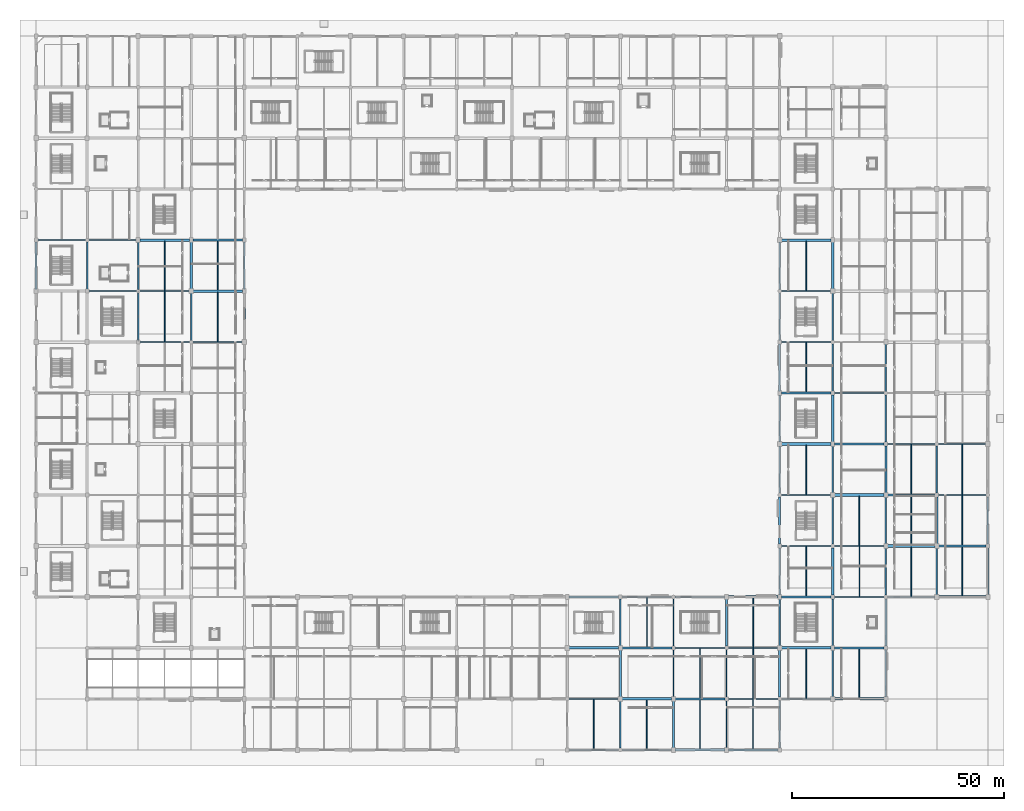
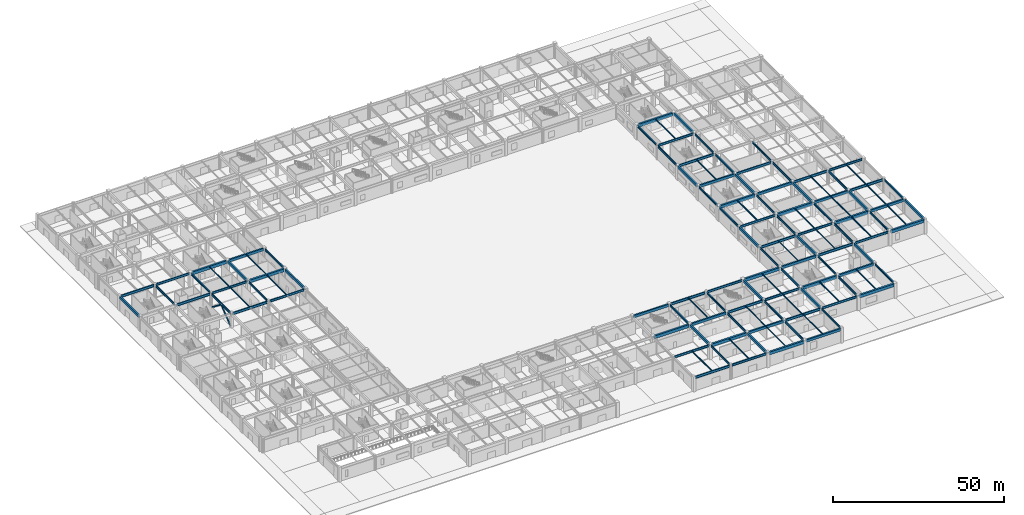
# One storey, part 6 of 69: 124 beams, 2 members.
"""IFC4 building model written with IfcOpenShell, lengths in metres."""

from ifc_helpers import new_model, si_unit, direction, frame, origin, origin_2d, place, context, subcontext, project, spatial, rectangle, i_section, extrude, material, material_profile, profile_set, type_object, element, save


model = new_model("IFC4")

# Units and contexts
model_context = context("Model", 3, precision=1e-05, world=origin(), true_north=direction((0.0, 1.0)))
body_context = subcontext(model_context, "Body", "Model", "MODEL_VIEW")
ifc_project = project(units=[si_unit("LENGTHUNIT", "METRE"), si_unit("AREAUNIT", "SQUARE_METRE"), si_unit("VOLUMEUNIT", "CUBIC_METRE"), si_unit("PLANEANGLEUNIT", "RADIAN"), si_unit("MASSUNIT", "GRAM", prefix="KILO")], contexts=[model_context])

# Site, building, storey
site_placement = place(None, origin())
site = spatial("IfcSite", under=ifc_project, at=site_placement, CompositionType="ELEMENT")
building_placement = place(site_placement, origin())
building = spatial("IfcBuilding", under=site, at=building_placement, Name="Kazenohara Klinker Stadium", CompositionType="ELEMENT")
storey_placement = place(building_placement, origin())
storey = spatial("IfcBuildingStorey", under=building, at=storey_placement, Name="L00", CompositionType="ELEMENT", Elevation=0.0)

# Beams
ifc_material_1 = material(Name="Steel S355", Category="steel")
ifc_material_profile_1 = material_profile(ifc_material_1, i_section(OverallWidth=0.199951171875, OverallDepth=0.5, WebThickness=0.010009765625, FlangeThickness=0.01611328125, FilletRadius=0.012939453125, at=origin_2d()), Name="H-500x200x10x16")
ifc_profile_set_1 = profile_set([ifc_material_profile_1], Name="Steel S355")
beam_type_1 = type_object("IfcBeamType", Name="BM-JST01", PredefinedType="JOIST", material=ifc_profile_set_1)
beam_1_placement = place(storey_placement, frame((168.75, 12.14990234375, 4.889892578125), z_axis=(0.0, 1.0, 0.0), x_axis=(-1.0, 0.0, 0.0)))
element("IfcBeam", 1, at=beam_1_placement, inside=storey, type_object=beam_type_1, Name="Secondary floor joist SJ01 L00 14/B", PredefinedType="JOIST", context=body_context, shape_type="SweptSolid", body=[
    extrude(i_section(OverallWidth=0.199951171875, OverallDepth=0.5, WebThickness=0.010009765625, FlangeThickness=0.01611328125, FilletRadius=0.012939453125, at=origin_2d()), origin(), (0.0, 0.0, 1.0), 11.7001953125),
])
for number, where, z_axis, x_axis, name in (
    (2, (181.25, 60.14990234375, 4.889892578125), (0.0, 1.0, 0.0), (-1.0, 0.0, 0.0), "Secondary floor joist SJ01 L00 15/F"),
    (3, (193.75, 48.14990234375, 4.889892578125), (0.0, 1.0, 0.0), (-1.0, 0.0, 0.0), "Secondary floor joist SJ01 L00 16/E"),
    (4, (206.0, 36.14990234375, 4.889892578125), (0.0, 1.0, 0.0), (-1.0, 0.0, 0.0), "Secondary floor joist SJ01 L00 17/D"),
):
    element("IfcBeam", number, at=place(storey_placement, frame(where, z_axis=z_axis, x_axis=x_axis)), inside=storey, type_object=beam_type_1, Name=name, PredefinedType="JOIST", context=body_context, shape_type="SweptSolid", body=[
        extrude(i_section(OverallWidth=0.199951171875, OverallDepth=0.5, WebThickness=0.010009765625, FlangeThickness=0.01611328125, FilletRadius=0.012939453125, at=origin_2d()), origin(), (0.0, 0.0, 1.0), 11.550048828125),
    ])
ifc_material_profile_2 = material_profile(ifc_material_1, i_section(OverallWidth=0.199951171875, OverallDepth=0.449951171875, WebThickness=0.009033203125, FlangeThickness=0.013916015625, FilletRadius=0.012939453125, at=origin_2d()), Name="H-450x200x9x14")
ifc_profile_set_2 = profile_set([ifc_material_profile_2], Name="Steel S355")
beam_type_2 = type_object("IfcBeamType", Name="BM-JST02", PredefinedType="JOIST", material=ifc_profile_set_2)
for number, where, z_axis, x_axis, name in (
    (5, (30.25, 96.14990234375, 4.9150390625), (0.0, 1.0, 0.0), (-1.0, 0.0, 0.0), "Secondary floor joist SJ02 L00 3/J"),
    (6, (131.25, 0.14990234375, 4.9150390625), (0.0, 1.0, 0.0), (-1.0, 0.0, 0.0), "Secondary floor joist SJ02 L00 11/A"),
):
    element("IfcBeam", number, at=place(storey_placement, frame(where, z_axis=z_axis, x_axis=x_axis)), inside=storey, type_object=beam_type_2, Name=name, PredefinedType="JOIST", context=body_context, shape_type="SweptSolid", body=[
        extrude(i_section(OverallWidth=0.199951171875, OverallDepth=0.449951171875, WebThickness=0.009033203125, FlangeThickness=0.013916015625, FilletRadius=0.012939453125, at=origin_2d()), origin(), (0.0, 0.0, 1.0), 11.7001953125),
    ])
for number, where, z_axis, x_axis, name in (
    (7, (168.75, 24.14990234375, 4.9150390625), (0.0, 1.0, 0.0), (-1.0, 0.0, 0.0), "Secondary floor joist SJ02 L00 14/C"),
    (8, (181.25, 12.14990234375, 4.9150390625), (0.0, 1.0, 0.0), (-1.0, 0.0, 0.0), "Secondary floor joist SJ02 L00 15/B"),
):
    element("IfcBeam", number, at=place(storey_placement, frame(where, z_axis=z_axis, x_axis=x_axis)), inside=storey, type_object=beam_type_2, Name=name, PredefinedType="JOIST", context=body_context, shape_type="SweptSolid", body=[
        extrude(i_section(OverallWidth=0.199951171875, OverallDepth=0.449951171875, WebThickness=0.009033203125, FlangeThickness=0.013916015625, FilletRadius=0.012939453125, at=origin_2d()), origin(), (0.0, 0.0, 1.0), 11.550048828125),
    ])
for number, where, z_axis, x_axis, name in (
    (9, (206.0, 48.300048828125, 4.9150390625), (0.0, 1.0, 0.0), (-1.0, 0.0, 0.0), "Secondary floor joist SJ02 L00 17/E"),
    (10, (218.0, 36.300048828125, 4.9150390625), (0.0, 1.0, 0.0), (-1.0, 0.0, 0.0), "Secondary floor joist SJ02 L00 18/D"),
):
    element("IfcBeam", number, at=place(storey_placement, frame(where, z_axis=z_axis, x_axis=x_axis)), inside=storey, type_object=beam_type_2, Name=name, PredefinedType="JOIST", context=body_context, shape_type="SweptSolid", body=[
        extrude(i_section(OverallWidth=0.199951171875, OverallDepth=0.449951171875, WebThickness=0.009033203125, FlangeThickness=0.013916015625, FilletRadius=0.012939453125, at=origin_2d()), origin(), (0.0, 0.0, 1.0), 11.449951171875),
    ])
ifc_material_profile_3 = material_profile(ifc_material_1, i_section(OverallWidth=0.199951171875, OverallDepth=0.39990234375, WebThickness=0.008056640625, FlangeThickness=0.012939453125, FilletRadius=0.012939453125, at=origin_2d()), Name="H-400x200x8x13")
ifc_profile_set_3 = profile_set([ifc_material_profile_3], Name="Steel S355")
beam_type_3 = type_object("IfcBeamType", Name="BM-JST03", PredefinedType="JOIST", material=ifc_profile_set_3)
for number, where, z_axis, x_axis, name in (
    (11, (30.25, 108.14990234375, 4.93994140625), (0.0, 1.0, 0.0), (-1.0, 0.0, 0.0), "Secondary floor joist SJ03 L00 3/K"),
    (12, (42.75, 96.14990234375, 4.93994140625), (0.0, 1.0, 0.0), (-1.0, 0.0, 0.0), "Secondary floor joist SJ03 L00 4/J"),
    (13, (143.75, 0.14990234375, 4.93994140625), (0.0, 1.0, 0.0), (-1.0, 0.0, 0.0), "Secondary floor joist SJ03 L00 12/A"),
):
    element("IfcBeam", number, at=place(storey_placement, frame(where, z_axis=z_axis, x_axis=x_axis)), inside=storey, type_object=beam_type_3, Name=name, PredefinedType="JOIST", context=body_context, shape_type="SweptSolid", body=[
        extrude(i_section(OverallWidth=0.199951171875, OverallDepth=0.39990234375, WebThickness=0.008056640625, FlangeThickness=0.012939453125, FilletRadius=0.012939453125, at=origin_2d()), origin(), (0.0, 0.0, 1.0), 11.550048828125),
    ])
beam_2_placement = place(storey_placement, frame((181.25, 84.25, 4.93994140625), z_axis=(0.0, 1.0, 0.0), x_axis=(-1.0, 0.0, 0.0)))
element("IfcBeam", 14, at=beam_2_placement, inside=storey, type_object=beam_type_3, Name="Secondary floor joist SJ03 L00 15/H", PredefinedType="JOIST", context=body_context, shape_type="SweptSolid", body=[
    extrude(i_section(OverallWidth=0.199951171875, OverallDepth=0.39990234375, WebThickness=0.008056640625, FlangeThickness=0.012939453125, FilletRadius=0.012939453125, at=origin_2d()), origin(), (0.0, 0.0, 1.0), 11.60009765625),
])
beam_3_placement = place(storey_placement, frame((193.75, 12.300048828125, 4.93994140625), z_axis=(0.0, 1.0, 0.0), x_axis=(-1.0, 0.0, 0.0)))
element("IfcBeam", 15, at=beam_3_placement, inside=storey, type_object=beam_type_3, Name="Secondary floor joist SJ03 L00 16/B", PredefinedType="JOIST", context=body_context, shape_type="SweptSolid", body=[
    extrude(i_section(OverallWidth=0.199951171875, OverallDepth=0.39990234375, WebThickness=0.008056640625, FlangeThickness=0.012939453125, FilletRadius=0.012939453125, at=origin_2d()), origin(), (0.0, 0.0, 1.0), 11.449951171875),
])
for number, where, z_axis, x_axis, name in (
    (16, (206.0, 60.25, 4.93994140625), (0.0, 1.0, 0.0), (-1.0, 0.0, 0.0), "Secondary floor joist SJ03 L00 17/F"),
    (17, (218.0, 48.25, 4.93994140625), (0.0, 1.0, 0.0), (-1.0, 0.0, 0.0), "Secondary floor joist SJ03 L00 18/E"),
):
    element("IfcBeam", number, at=place(storey_placement, frame(where, z_axis=z_axis, x_axis=x_axis)), inside=storey, type_object=beam_type_3, Name=name, PredefinedType="JOIST", context=body_context, shape_type="SweptSolid", body=[
        extrude(i_section(OverallWidth=0.199951171875, OverallDepth=0.39990234375, WebThickness=0.008056640625, FlangeThickness=0.012939453125, FilletRadius=0.012939453125, at=origin_2d()), origin(), (0.0, 0.0, 1.0), 11.60009765625),
    ])
ifc_material_profile_4 = material_profile(ifc_material_1, i_section(OverallWidth=0.175048828125, OverallDepth=0.35009765625, WebThickness=0.007080078125, FlangeThickness=0.010986328125, FilletRadius=0.012939453125, at=origin_2d()), Name="H-350x175x7x11")
ifc_profile_set_4 = profile_set([ifc_material_profile_4], Name="Steel S355")
beam_type_4 = type_object("IfcBeamType", Name="BM-JST04", PredefinedType="JOIST", material=ifc_profile_set_4)
for number, where, z_axis, x_axis, name in (
    (18, (42.75, 108.300048828125, 4.965087890625), (0.0, 1.0, 0.0), (-1.0, 0.0, 0.0), "Secondary floor joist SJ04 L00 4/K"),
    (19, (156.25, 0.300048828125, 4.965087890625), (0.0, 1.0, 0.0), (-1.0, 0.0, 0.0), "Secondary floor joist SJ04 L00 13/A"),
):
    element("IfcBeam", number, at=place(storey_placement, frame(where, z_axis=z_axis, x_axis=x_axis)), inside=storey, type_object=beam_type_4, Name=name, PredefinedType="JOIST", context=body_context, shape_type="SweptSolid", body=[
        extrude(i_section(OverallWidth=0.175048828125, OverallDepth=0.35009765625, WebThickness=0.007080078125, FlangeThickness=0.010986328125, FilletRadius=0.012939453125, at=origin_2d()), origin(), (0.0, 0.0, 1.0), 11.449951171875),
    ])
beam_4_placement = place(storey_placement, frame((181.25, 36.25, 4.965087890625), z_axis=(0.0, 1.0, 0.0), x_axis=(-1.0, 0.0, 0.0)))
element("IfcBeam", 20, at=beam_4_placement, inside=storey, type_object=beam_type_4, Name="Secondary floor joist SJ04 L00 15/D", PredefinedType="JOIST", context=body_context, shape_type="SweptSolid", body=[
    extrude(i_section(OverallWidth=0.175048828125, OverallDepth=0.35009765625, WebThickness=0.007080078125, FlangeThickness=0.010986328125, FilletRadius=0.012939453125, at=origin_2d()), origin(), (0.0, 0.0, 1.0), 11.60009765625),
])
beam_5_placement = place(storey_placement, frame((218.0, 60.14990234375, 4.965087890625), z_axis=(0.0, 1.0, 0.0), x_axis=(-1.0, 0.0, 0.0)))
element("IfcBeam", 21, at=beam_5_placement, inside=storey, type_object=beam_type_4, Name="Secondary floor joist SJ04 L00 18/F", PredefinedType="JOIST", context=body_context, shape_type="SweptSolid", body=[
    extrude(i_section(OverallWidth=0.175048828125, OverallDepth=0.35009765625, WebThickness=0.007080078125, FlangeThickness=0.010986328125, FilletRadius=0.012939453125, at=origin_2d()), origin(), (0.0, 0.0, 1.0), 11.7001953125),
])
ifc_material_profile_5 = material_profile(ifc_material_1, i_section(OverallWidth=0.14990234375, OverallDepth=0.300048828125, WebThickness=0.006591796875, FlangeThickness=0.009033203125, FilletRadius=0.012939453125, at=origin_2d()), Name="H-300x150x6.5x9")
ifc_profile_set_5 = profile_set([ifc_material_profile_5], Name="Steel S355")
beam_type_5 = type_object("IfcBeamType", Name="BM-JST05", PredefinedType="JOIST", material=ifc_profile_set_5)
for number, where, z_axis, x_axis, name in (
    (22, (143.75, 24.25, 4.989990234375), (0.0, 1.0, 0.0), (-1.0, 0.0, 0.0), "Secondary floor joist SJ05 L00 12/C"),
    (23, (156.25, 12.25, 4.989990234375), (0.0, 1.0, 0.0), (-1.0, 0.0, 0.0), "Secondary floor joist SJ05 L00 13/B"),
    (24, (168.75, 0.25, 4.989990234375), (0.0, 1.0, 0.0), (-1.0, 0.0, 0.0), "Secondary floor joist SJ05 L00 14/A"),
):
    element("IfcBeam", number, at=place(storey_placement, frame(where, z_axis=z_axis, x_axis=x_axis)), inside=storey, type_object=beam_type_5, Name=name, PredefinedType="JOIST", context=body_context, shape_type="SweptSolid", body=[
        extrude(i_section(OverallWidth=0.14990234375, OverallDepth=0.300048828125, WebThickness=0.006591796875, FlangeThickness=0.009033203125, FilletRadius=0.012939453125, at=origin_2d()), origin(), (0.0, 0.0, 1.0), 11.60009765625),
    ])
beam_6_placement = place(storey_placement, frame((181.25, 108.14990234375, 4.989990234375), z_axis=(0.0, 1.0, 0.0), x_axis=(-1.0, 0.0, 0.0)))
element("IfcBeam", 25, at=beam_6_placement, inside=storey, type_object=beam_type_5, Name="Secondary floor joist SJ05 L00 15/K", PredefinedType="JOIST", context=body_context, shape_type="SweptSolid", body=[
    extrude(i_section(OverallWidth=0.14990234375, OverallDepth=0.300048828125, WebThickness=0.006591796875, FlangeThickness=0.009033203125, FilletRadius=0.012939453125, at=origin_2d()), origin(), (0.0, 0.0, 1.0), 11.550048828125),
])
beam_7_placement = place(storey_placement, frame((193.75, 36.14990234375, 4.989990234375), z_axis=(0.0, 1.0, 0.0), x_axis=(-1.0, 0.0, 0.0)))
element("IfcBeam", 26, at=beam_7_placement, inside=storey, type_object=beam_type_5, Name="Secondary floor joist SJ05 L00 16/D", PredefinedType="JOIST", context=body_context, shape_type="SweptSolid", body=[
    extrude(i_section(OverallWidth=0.14990234375, OverallDepth=0.300048828125, WebThickness=0.006591796875, FlangeThickness=0.009033203125, FilletRadius=0.012939453125, at=origin_2d()), origin(), (0.0, 0.0, 1.0), 11.7001953125),
])
ifc_material_2 = material(Name="Concrete C40/50", Category="concrete")
ifc_material_profile_6 = material_profile(ifc_material_2, rectangle(XDim=0.60009765625, YDim=1.050048828125, at=origin_2d()), Name="RC-BM-600x1050")
ifc_profile_set_6 = profile_set([ifc_material_profile_6], Name="Concrete C40/50")
beam_type_6 = type_object("IfcBeamType", Name="BM-RC01", PredefinedType="BEAM", material=ifc_profile_set_6)
for number, where, z_axis, x_axis, name in (
    (27, (24.419921875, 120.0, 4.614990234375), (1.0, 0.0, 0.0), (0.0, 1.0, 0.0), "Primary girder BG01 L00 3-4/L"),
    (28, (36.919921875, 108.0, 4.614990234375), (1.0, 0.0, 0.0), (0.0, 1.0, 0.0), "Primary girder BG01 L00 4-5/K"),
    (29, (125.419921875, 24.0, 4.614990234375), (1.0, 0.0, 0.0), (0.0, 1.0, 0.0), "Primary girder BG01 L00 11-12/C"),
    (30, (137.919921875, 12.0, 4.614990234375), (1.0, 0.0, 0.0), (0.0, 1.0, 0.0), "Primary girder BG01 L00 12-13/B"),
    (31, (150.419921875, 0.0, 4.614990234375), (1.0, 0.0, 0.0), (0.0, 1.0, 0.0), "Primary girder BG01 L00 13-14/A"),
    (32, (162.919921875, 36.0, 4.614990234375), (1.0, 0.0, 0.0), (0.0, 1.0, 0.0), "Primary girder BG01 L00 14-15/D"),
    (33, (175.419921875, 24.0, 4.614990234375), (1.0, 0.0, 0.0), (0.0, 1.0, 0.0), "Primary girder BG01 L00 15-16/C"),
    (34, (175.419921875, 72.0, 4.614990234375), (1.0, 0.0, 0.0), (0.0, 1.0, 0.0), "Primary girder BG01 L00 15-16/G"),
    (35, (175.419921875, 120.0, 4.614990234375), (1.0, 0.0, 0.0), (0.0, 1.0, 0.0), "Primary girder BG01 L00 15-16/L"),
    (36, (187.919921875, 12.0, 4.614990234375), (1.0, 0.0, 0.0), (0.0, 1.0, 0.0), "Primary girder BG01 L00 16-17/B"),
    (37, (187.919921875, 60.0, 4.614990234375), (1.0, 0.0, 0.0), (0.0, 1.0, 0.0), "Primary girder BG01 L00 16-17/F"),
):
    element("IfcBeam", number, at=place(storey_placement, frame(where, z_axis=z_axis, x_axis=x_axis)), inside=storey, type_object=beam_type_6, Name=name, PredefinedType="BEAM", context=body_context, shape_type="SweptSolid", body=[
        extrude(rectangle(XDim=0.60009765625, YDim=1.050048828125, at=origin_2d()), origin(), (0.0, 0.0, 1.0), 11.66015625),
    ])
for number, where, z_axis, x_axis, name in (
    (38, (200.419921875, 48.0, 4.614990234375), (1.0, 0.0, 0.0), (0.0, 1.0, 0.0), "Primary girder BG01 L00 17-18/E"),
    (39, (212.419921875, 36.0, 4.614990234375), (1.0, 0.0, 0.0), (0.0, 1.0, 0.0), "Primary girder BG01 L00 18-19/D"),
):
    element("IfcBeam", number, at=place(storey_placement, frame(where, z_axis=z_axis, x_axis=x_axis)), inside=storey, type_object=beam_type_6, Name=name, PredefinedType="BEAM", context=body_context, shape_type="SweptSolid", body=[
        extrude(rectangle(XDim=0.60009765625, YDim=1.050048828125, at=origin_2d()), origin(), (0.0, 0.0, 1.0), 11.16015625),
    ])
ifc_material_profile_7 = material_profile(ifc_material_2, rectangle(XDim=0.5, YDim=0.89990234375, at=origin_2d()), Name="RC-BM-500x900")
ifc_profile_set_7 = profile_set([ifc_material_profile_7], Name="Concrete C40/50")
beam_type_7 = type_object("IfcBeamType", Name="BM-RC02", PredefinedType="BEAM", material=ifc_profile_set_7)
for number, where, z_axis, x_axis, name in (
    (40, (36.919921875, 120.0, 4.68994140625), (1.0, 0.0, 0.0), (0.0, 1.0, 0.0), "Primary girder BG02 L00 4-5/L"),
    (41, (125.419921875, 36.0, 4.68994140625), (1.0, 0.0, 0.0), (0.0, 1.0, 0.0), "Primary girder BG02 L00 11-12/D"),
    (42, (137.919921875, 24.0, 4.68994140625), (1.0, 0.0, 0.0), (0.0, 1.0, 0.0), "Primary girder BG02 L00 12-13/C"),
    (43, (150.419921875, 12.0, 4.68994140625), (1.0, 0.0, 0.0), (0.0, 1.0, 0.0), "Primary girder BG02 L00 13-14/B"),
    (44, (162.919921875, 0.0, 4.68994140625), (1.0, 0.0, 0.0), (0.0, 1.0, 0.0), "Primary girder BG02 L00 14-15/A"),
    (45, (175.419921875, 36.0, 4.68994140625), (1.0, 0.0, 0.0), (0.0, 1.0, 0.0), "Primary girder BG02 L00 15-16/D"),
    (46, (175.419921875, 84.0, 4.68994140625), (1.0, 0.0, 0.0), (0.0, 1.0, 0.0), "Primary girder BG02 L00 15-16/H"),
    (47, (187.919921875, 24.0, 4.68994140625), (1.0, 0.0, 0.0), (0.0, 1.0, 0.0), "Primary girder BG02 L00 16-17/C"),
    (48, (187.919921875, 72.0, 4.68994140625), (1.0, 0.0, 0.0), (0.0, 1.0, 0.0), "Primary girder BG02 L00 16-17/G"),
):
    element("IfcBeam", number, at=place(storey_placement, frame(where, z_axis=z_axis, x_axis=x_axis)), inside=storey, type_object=beam_type_7, Name=name, PredefinedType="BEAM", context=body_context, shape_type="SweptSolid", body=[
        extrude(rectangle(XDim=0.5, YDim=0.89990234375, at=origin_2d()), origin(), (0.0, 0.0, 1.0), 11.68017578125),
    ])
for number, where, z_axis, x_axis, name in (
    (49, (200.419921875, 60.0, 4.68994140625), (1.0, 0.0, 0.0), (0.0, 1.0, 0.0), "Primary girder BG02 L00 17-18/F"),
    (50, (212.419921875, 48.0, 4.68994140625), (1.0, 0.0, 0.0), (0.0, 1.0, 0.0), "Primary girder BG02 L00 18-19/E"),
):
    element("IfcBeam", number, at=place(storey_placement, frame(where, z_axis=z_axis, x_axis=x_axis)), inside=storey, type_object=beam_type_7, Name=name, PredefinedType="BEAM", context=body_context, shape_type="SweptSolid", body=[
        extrude(rectangle(XDim=0.5, YDim=0.89990234375, at=origin_2d()), origin(), (0.0, 0.0, 1.0), 11.18017578125),
    ])
for number, where, z_axis, x_axis, name in (
    (51, (0.0, 108.419921875, 4.68994140625), (0.0, 1.0, 0.0), (-1.0, 0.0, 0.0), "Primary girder BG02 L00 1/K-L"),
    (52, (36.5, 108.419921875, 4.68994140625), (0.0, 1.0, 0.0), (-1.0, 0.0, 0.0), "Primary girder BG02 L00 4/K-L"),
    (53, (49.0, 96.419921875, 4.68994140625), (0.0, 1.0, 0.0), (-1.0, 0.0, 0.0), "Primary girder BG02 L00 5/J-K"),
    (54, (137.5, 12.419921875, 4.68994140625), (0.0, 1.0, 0.0), (-1.0, 0.0, 0.0), "Primary girder BG02 L00 12/B-C"),
    (55, (150.0, 0.419921875, 4.68994140625), (0.0, 1.0, 0.0), (-1.0, 0.0, 0.0), "Primary girder BG02 L00 13/A-B"),
    (56, (162.5, 24.419921875, 4.68994140625), (0.0, 1.0, 0.0), (-1.0, 0.0, 0.0), "Primary girder BG02 L00 14/C-D"),
    (57, (175.0, 12.419921875, 4.68994140625), (0.0, 1.0, 0.0), (-1.0, 0.0, 0.0), "Primary girder BG02 L00 15/B-C"),
    (58, (175.0, 48.419921875, 4.68994140625), (0.0, 1.0, 0.0), (-1.0, 0.0, 0.0), "Primary girder BG02 L00 15/E-F"),
    (59, (175.0, 84.419921875, 4.68994140625), (0.0, 1.0, 0.0), (-1.0, 0.0, 0.0), "Primary girder BG02 L00 15/H-J"),
    (60, (187.5, 36.419921875, 4.68994140625), (0.0, 1.0, 0.0), (-1.0, 0.0, 0.0), "Primary girder BG02 L00 16/D-E"),
    (61, (187.5, 72.419921875, 4.68994140625), (0.0, 1.0, 0.0), (-1.0, 0.0, 0.0), "Primary girder BG02 L00 16/G-H"),
    (62, (187.5, 108.419921875, 4.68994140625), (0.0, 1.0, 0.0), (-1.0, 0.0, 0.0), "Primary girder BG02 L00 16/K-L"),
    (63, (200.0, 24.419921875, 4.68994140625), (0.0, 1.0, 0.0), (-1.0, 0.0, 0.0), "Primary girder BG02 L00 17/C-D"),
    (64, (200.0, 60.419921875, 4.68994140625), (0.0, 1.0, 0.0), (-1.0, 0.0, 0.0), "Primary girder BG02 L00 17/F-G"),
    (65, (212.0, 48.419921875, 4.68994140625), (0.0, 1.0, 0.0), (-1.0, 0.0, 0.0), "Primary girder BG02 L00 18/E-F"),
    (66, (224.0, 36.419921875, 4.68994140625), (0.0, 1.0, 0.0), (-1.0, 0.0, 0.0), "Primary girder BG02 L00 19/D-E"),
):
    element("IfcBeam", number, at=place(storey_placement, frame(where, z_axis=z_axis, x_axis=x_axis)), inside=storey, type_object=beam_type_7, Name=name, PredefinedType="BEAM", context=body_context, shape_type="SweptSolid", body=[
        extrude(rectangle(XDim=0.5, YDim=0.89990234375, at=origin_2d()), origin(), (0.0, 0.0, 1.0), 11.16015625),
    ])
ifc_material_profile_8 = material_profile(ifc_material_1, i_section(OverallWidth=0.300048828125, OverallDepth=0.89990234375, WebThickness=0.01611328125, FlangeThickness=0.028076171875, FilletRadius=0.02197265625, at=origin_2d()), Name="H-900x300x16x28")
ifc_profile_set_8 = profile_set([ifc_material_profile_8], Name="Steel S355")
beam_type_8 = type_object("IfcBeamType", Name="BM-ST01", PredefinedType="BEAM", material=ifc_profile_set_8)
for number, where, z_axis, x_axis, name in (
    (67, (0.39990234375, 120.0, 4.68994140625), (1.0, 0.0, 0.0), (0.0, 1.0, 0.0), "Primary girder SB01 L00 1-2/L"),
    (68, (12.39990234375, 108.0, 4.68994140625), (1.0, 0.0, 0.0), (0.0, 1.0, 0.0), "Primary girder SB01 L00 2-3/K"),
):
    element("IfcBeam", number, at=place(storey_placement, frame(where, z_axis=z_axis, x_axis=x_axis)), inside=storey, type_object=beam_type_8, Name=name, PredefinedType="BEAM", context=body_context, shape_type="SweptSolid", body=[
        extrude(i_section(OverallWidth=0.300048828125, OverallDepth=0.89990234375, WebThickness=0.01611328125, FlangeThickness=0.028076171875, FilletRadius=0.02197265625, at=origin_2d()), origin(), (0.0, 0.0, 1.0), 11.18017578125),
    ])
for number, where, z_axis, x_axis, name in (
    (69, (24.39990234375, 96.0, 4.68994140625), (1.0, 0.0, 0.0), (0.0, 1.0, 0.0), "Primary girder SB01 L00 3-4/J"),
    (70, (125.39990234375, 0.0, 4.68994140625), (1.0, 0.0, 0.0), (0.0, 1.0, 0.0), "Primary girder SB01 L00 11-12/A"),
    (71, (137.89990234375, 36.0, 4.68994140625), (1.0, 0.0, 0.0), (0.0, 1.0, 0.0), "Primary girder SB01 L00 12-13/D"),
    (72, (150.39990234375, 24.0, 4.68994140625), (1.0, 0.0, 0.0), (0.0, 1.0, 0.0), "Primary girder SB01 L00 13-14/C"),
    (73, (162.89990234375, 12.0, 4.68994140625), (1.0, 0.0, 0.0), (0.0, 1.0, 0.0), "Primary girder SB01 L00 14-15/B"),
    (74, (175.39990234375, 48.0, 4.68994140625), (1.0, 0.0, 0.0), (0.0, 1.0, 0.0), "Primary girder SB01 L00 15-16/E"),
    (75, (175.39990234375, 96.0, 4.68994140625), (1.0, 0.0, 0.0), (0.0, 1.0, 0.0), "Primary girder SB01 L00 15-16/J"),
    (76, (187.89990234375, 36.0, 4.68994140625), (1.0, 0.0, 0.0), (0.0, 1.0, 0.0), "Primary girder SB01 L00 16-17/D"),
    (77, (187.89990234375, 84.0, 4.68994140625), (1.0, 0.0, 0.0), (0.0, 1.0, 0.0), "Primary girder SB01 L00 16-17/H"),
):
    element("IfcBeam", number, at=place(storey_placement, frame(where, z_axis=z_axis, x_axis=x_axis)), inside=storey, type_object=beam_type_8, Name=name, PredefinedType="BEAM", context=body_context, shape_type="SweptSolid", body=[
        extrude(i_section(OverallWidth=0.300048828125, OverallDepth=0.89990234375, WebThickness=0.01611328125, FlangeThickness=0.028076171875, FilletRadius=0.02197265625, at=origin_2d()), origin(), (0.0, 0.0, 1.0), 11.68017578125),
    ])
for number, where, z_axis, x_axis, name in (
    (78, (200.39990234375, 72.0, 4.68994140625), (1.0, 0.0, 0.0), (0.0, 1.0, 0.0), "Primary girder SB01 L00 17-18/G"),
    (79, (212.39990234375, 60.0, 4.68994140625), (1.0, 0.0, 0.0), (0.0, 1.0, 0.0), "Primary girder SB01 L00 18-19/F"),
):
    element("IfcBeam", number, at=place(storey_placement, frame(where, z_axis=z_axis, x_axis=x_axis)), inside=storey, type_object=beam_type_8, Name=name, PredefinedType="BEAM", context=body_context, shape_type="SweptSolid", body=[
        extrude(i_section(OverallWidth=0.300048828125, OverallDepth=0.89990234375, WebThickness=0.01611328125, FlangeThickness=0.028076171875, FilletRadius=0.02197265625, at=origin_2d()), origin(), (0.0, 0.0, 1.0), 11.18017578125),
    ])
ifc_material_profile_9 = material_profile(ifc_material_1, i_section(OverallWidth=0.300048828125, OverallDepth=0.800048828125, WebThickness=0.013916015625, FlangeThickness=0.02587890625, FilletRadius=0.02197265625, at=origin_2d()), Name="H-800x300x14x26")
ifc_profile_set_9 = profile_set([ifc_material_profile_9], Name="Steel S355")
beam_type_9 = type_object("IfcBeamType", Name="BM-ST02", PredefinedType="BEAM", material=ifc_profile_set_9)
beam_8_placement = place(storey_placement, frame((12.419921875, 120.0, 4.739990234375), z_axis=(1.0, 0.0, 0.0), x_axis=(0.0, 1.0, 0.0)))
element("IfcBeam", 80, at=beam_8_placement, inside=storey, type_object=beam_type_9, Name="Primary girder SB02 L00 2-3/L", PredefinedType="BEAM", context=body_context, shape_type="SweptSolid", body=[
    extrude(i_section(OverallWidth=0.300048828125, OverallDepth=0.800048828125, WebThickness=0.013916015625, FlangeThickness=0.02587890625, FilletRadius=0.02197265625, at=origin_2d()), origin(), (0.0, 0.0, 1.0), 11.16015625),
])
for number, where, z_axis, x_axis, name in (
    (81, (24.419921875, 108.0, 4.739990234375), (1.0, 0.0, 0.0), (0.0, 1.0, 0.0), "Primary girder SB02 L00 3-4/K"),
    (82, (36.919921875, 96.0, 4.739990234375), (1.0, 0.0, 0.0), (0.0, 1.0, 0.0), "Primary girder SB02 L00 4-5/J"),
    (83, (125.419921875, 12.0, 4.739990234375), (1.0, 0.0, 0.0), (0.0, 1.0, 0.0), "Primary girder SB02 L00 11-12/B"),
    (84, (137.919921875, 0.0, 4.739990234375), (1.0, 0.0, 0.0), (0.0, 1.0, 0.0), "Primary girder SB02 L00 12-13/A"),
    (85, (150.419921875, 36.0, 4.739990234375), (1.0, 0.0, 0.0), (0.0, 1.0, 0.0), "Primary girder SB02 L00 13-14/D"),
    (86, (162.919921875, 24.0, 4.739990234375), (1.0, 0.0, 0.0), (0.0, 1.0, 0.0), "Primary girder SB02 L00 14-15/C"),
    (87, (175.419921875, 12.0, 4.739990234375), (1.0, 0.0, 0.0), (0.0, 1.0, 0.0), "Primary girder SB02 L00 15-16/B"),
    (88, (175.419921875, 60.0, 4.739990234375), (1.0, 0.0, 0.0), (0.0, 1.0, 0.0), "Primary girder SB02 L00 15-16/F"),
    (89, (175.419921875, 108.0, 4.739990234375), (1.0, 0.0, 0.0), (0.0, 1.0, 0.0), "Primary girder SB02 L00 15-16/K"),
    (90, (187.919921875, 48.0, 4.739990234375), (1.0, 0.0, 0.0), (0.0, 1.0, 0.0), "Primary girder SB02 L00 16-17/E"),
):
    element("IfcBeam", number, at=place(storey_placement, frame(where, z_axis=z_axis, x_axis=x_axis)), inside=storey, type_object=beam_type_9, Name=name, PredefinedType="BEAM", context=body_context, shape_type="SweptSolid", body=[
        extrude(i_section(OverallWidth=0.300048828125, OverallDepth=0.800048828125, WebThickness=0.013916015625, FlangeThickness=0.02587890625, FilletRadius=0.02197265625, at=origin_2d()), origin(), (0.0, 0.0, 1.0), 11.66015625),
    ])
for number, where, z_axis, x_axis, name in (
    (91, (200.419921875, 36.0, 4.739990234375), (1.0, 0.0, 0.0), (0.0, 1.0, 0.0), "Primary girder SB02 L00 17-18/D"),
    (92, (212.419921875, 72.0, 4.739990234375), (1.0, 0.0, 0.0), (0.0, 1.0, 0.0), "Primary girder SB02 L00 18-19/G"),
    (93, (12.0, 108.419921875, 4.739990234375), (0.0, 1.0, 0.0), (-1.0, 0.0, 0.0), "Primary girder SB02 L00 2/K-L"),
    (94, (24.0, 96.419921875, 4.739990234375), (0.0, 1.0, 0.0), (-1.0, 0.0, 0.0), "Primary girder SB02 L00 3/J-K"),
    (95, (49.0, 108.419921875, 4.739990234375), (0.0, 1.0, 0.0), (-1.0, 0.0, 0.0), "Primary girder SB02 L00 5/K-L"),
    (96, (137.5, 24.419921875, 4.739990234375), (0.0, 1.0, 0.0), (-1.0, 0.0, 0.0), "Primary girder SB02 L00 12/C-D"),
    (97, (150.0, 12.419921875, 4.739990234375), (0.0, 1.0, 0.0), (-1.0, 0.0, 0.0), "Primary girder SB02 L00 13/B-C"),
    (98, (162.5, 0.419921875, 4.739990234375), (0.0, 1.0, 0.0), (-1.0, 0.0, 0.0), "Primary girder SB02 L00 14/A-B"),
    (99, (175.0, 24.419921875, 4.739990234375), (0.0, 1.0, 0.0), (-1.0, 0.0, 0.0), "Primary girder SB02 L00 15/C-D"),
    (100, (175.0, 60.419921875, 4.739990234375), (0.0, 1.0, 0.0), (-1.0, 0.0, 0.0), "Primary girder SB02 L00 15/F-G"),
    (101, (175.0, 96.419921875, 4.739990234375), (0.0, 1.0, 0.0), (-1.0, 0.0, 0.0), "Primary girder SB02 L00 15/J-K"),
    (102, (187.5, 12.419921875, 4.739990234375), (0.0, 1.0, 0.0), (-1.0, 0.0, 0.0), "Primary girder SB02 L00 16/B-C"),
    (103, (187.5, 48.419921875, 4.739990234375), (0.0, 1.0, 0.0), (-1.0, 0.0, 0.0), "Primary girder SB02 L00 16/E-F"),
    (104, (187.5, 84.419921875, 4.739990234375), (0.0, 1.0, 0.0), (-1.0, 0.0, 0.0), "Primary girder SB02 L00 16/H-J"),
    (105, (200.0, 36.419921875, 4.739990234375), (0.0, 1.0, 0.0), (-1.0, 0.0, 0.0), "Primary girder SB02 L00 17/D-E"),
    (106, (200.0, 72.419921875, 4.739990234375), (0.0, 1.0, 0.0), (-1.0, 0.0, 0.0), "Primary girder SB02 L00 17/G-H"),
    (107, (212.0, 60.419921875, 4.739990234375), (0.0, 1.0, 0.0), (-1.0, 0.0, 0.0), "Primary girder SB02 L00 18/F-G"),
    (108, (224.0, 48.419921875, 4.739990234375), (0.0, 1.0, 0.0), (-1.0, 0.0, 0.0), "Primary girder SB02 L00 19/E-F"),
):
    element("IfcBeam", number, at=place(storey_placement, frame(where, z_axis=z_axis, x_axis=x_axis)), inside=storey, type_object=beam_type_9, Name=name, PredefinedType="BEAM", context=body_context, shape_type="SweptSolid", body=[
        extrude(i_section(OverallWidth=0.300048828125, OverallDepth=0.800048828125, WebThickness=0.013916015625, FlangeThickness=0.02587890625, FilletRadius=0.02197265625, at=origin_2d()), origin(), (0.0, 0.0, 1.0), 11.16015625),
    ])
ifc_material_profile_10 = material_profile(ifc_material_1, i_section(OverallWidth=0.300048828125, OverallDepth=0.699951171875, WebThickness=0.012939453125, FlangeThickness=0.02392578125, FilletRadius=0.02197265625, at=origin_2d()), Name="H-700x300x13x24")
ifc_profile_set_10 = profile_set([ifc_material_profile_10], Name="Steel S355")
beam_type_10 = type_object("IfcBeamType", Name="BM-ST03", PredefinedType="BEAM", material=ifc_profile_set_10)
for number, where, z_axis, x_axis, name in (
    (109, (24.0, 108.419921875, 4.7900390625), (0.0, 1.0, 0.0), (-1.0, 0.0, 0.0), "Primary girder SB03 L00 3/K-L"),
    (110, (36.5, 96.419921875, 4.7900390625), (0.0, 1.0, 0.0), (-1.0, 0.0, 0.0), "Primary girder SB03 L00 4/J-K"),
    (111, (137.5, 0.419921875, 4.7900390625), (0.0, 1.0, 0.0), (-1.0, 0.0, 0.0), "Primary girder SB03 L00 12/A-B"),
    (112, (150.0, 24.419921875, 4.7900390625), (0.0, 1.0, 0.0), (-1.0, 0.0, 0.0), "Primary girder SB03 L00 13/C-D"),
    (113, (162.5, 12.419921875, 4.7900390625), (0.0, 1.0, 0.0), (-1.0, 0.0, 0.0), "Primary girder SB03 L00 14/B-C"),
    (114, (175.0, 0.419921875, 4.7900390625), (0.0, 1.0, 0.0), (-1.0, 0.0, 0.0), "Primary girder SB03 L00 15/A-B"),
    (115, (175.0, 36.419921875, 4.7900390625), (0.0, 1.0, 0.0), (-1.0, 0.0, 0.0), "Primary girder SB03 L00 15/D-E"),
    (116, (175.0, 72.419921875, 4.7900390625), (0.0, 1.0, 0.0), (-1.0, 0.0, 0.0), "Primary girder SB03 L00 15/G-H"),
    (117, (175.0, 108.419921875, 4.7900390625), (0.0, 1.0, 0.0), (-1.0, 0.0, 0.0), "Primary girder SB03 L00 15/K-L"),
    (118, (187.5, 24.419921875, 4.7900390625), (0.0, 1.0, 0.0), (-1.0, 0.0, 0.0), "Primary girder SB03 L00 16/C-D"),
    (119, (187.5, 60.419921875, 4.7900390625), (0.0, 1.0, 0.0), (-1.0, 0.0, 0.0), "Primary girder SB03 L00 16/F-G"),
    (120, (187.5, 96.419921875, 4.7900390625), (0.0, 1.0, 0.0), (-1.0, 0.0, 0.0), "Primary girder SB03 L00 16/J-K"),
    (121, (200.0, 12.419921875, 4.7900390625), (0.0, 1.0, 0.0), (-1.0, 0.0, 0.0), "Primary girder SB03 L00 17/B-C"),
    (122, (200.0, 48.419921875, 4.7900390625), (0.0, 1.0, 0.0), (-1.0, 0.0, 0.0), "Primary girder SB03 L00 17/E-F"),
    (123, (200.0, 84.419921875, 4.7900390625), (0.0, 1.0, 0.0), (-1.0, 0.0, 0.0), "Primary girder SB03 L00 17/H-J"),
    (124, (212.0, 36.419921875, 4.7900390625), (0.0, 1.0, 0.0), (-1.0, 0.0, 0.0), "Primary girder SB03 L00 18/D-E"),
):
    element("IfcBeam", number, at=place(storey_placement, frame(where, z_axis=z_axis, x_axis=x_axis)), inside=storey, type_object=beam_type_10, Name=name, PredefinedType="BEAM", context=body_context, shape_type="SweptSolid", body=[
        extrude(i_section(OverallWidth=0.300048828125, OverallDepth=0.699951171875, WebThickness=0.012939453125, FlangeThickness=0.02392578125, FilletRadius=0.02197265625, at=origin_2d()), origin(), (0.0, 0.0, 1.0), 11.16015625),
    ])

# Members
ifc_material_profile_11 = material_profile(ifc_material_1, i_section(OverallWidth=0.35009765625, OverallDepth=0.35009765625, WebThickness=0.011962890625, FlangeThickness=0.01904296875, FilletRadius=0.012939453125, at=origin_2d()), Name="H-350x350x12x19")
ifc_profile_set_11 = profile_set([ifc_material_profile_11], Name="Steel S355")
member_type = type_object("IfcMemberType", Name="MEM-BRC03", PredefinedType="BRACE", material=ifc_profile_set_11)
member_1_placement = place(storey_placement, frame((24.0, 96.47998046875, 0.050048828125), z_axis=(0.0, 0.783804672435, 0.62100743592), x_axis=(-1.0, 0.0, 0.0)))
element("IfcMember", 125, at=member_1_placement, inside=storey, type_object=member_type, Name="Concentric brace BR03 L00 3/J A", PredefinedType="BRACE", context=body_context, shape_type="SweptSolid", body=[
    extrude(i_section(OverallWidth=0.35009765625, OverallDepth=0.35009765625, WebThickness=0.011962890625, FlangeThickness=0.01904296875, FilletRadius=0.012939453125, at=origin_2d()), origin(), (0.0, 0.0, 1.0), 6.9404296875),
])
member_2_placement = place(storey_placement, frame((24.0, 107.594970703125, 0.050048828125), z_axis=(0.0, -0.787917012532, 0.615781439605), x_axis=(1.0, 0.0, 0.0)))
element("IfcMember", 126, at=member_2_placement, inside=storey, type_object=member_type, Name="Concentric brace BR03 L00 3/J B", PredefinedType="BRACE", context=body_context, shape_type="SweptSolid", body=[
    extrude(i_section(OverallWidth=0.35009765625, OverallDepth=0.35009765625, WebThickness=0.011962890625, FlangeThickness=0.01904296875, FilletRadius=0.012939453125, at=origin_2d()), origin(), (0.0, 0.0, 1.0), 6.999267578125),
])

save(model, "model.ifc")
